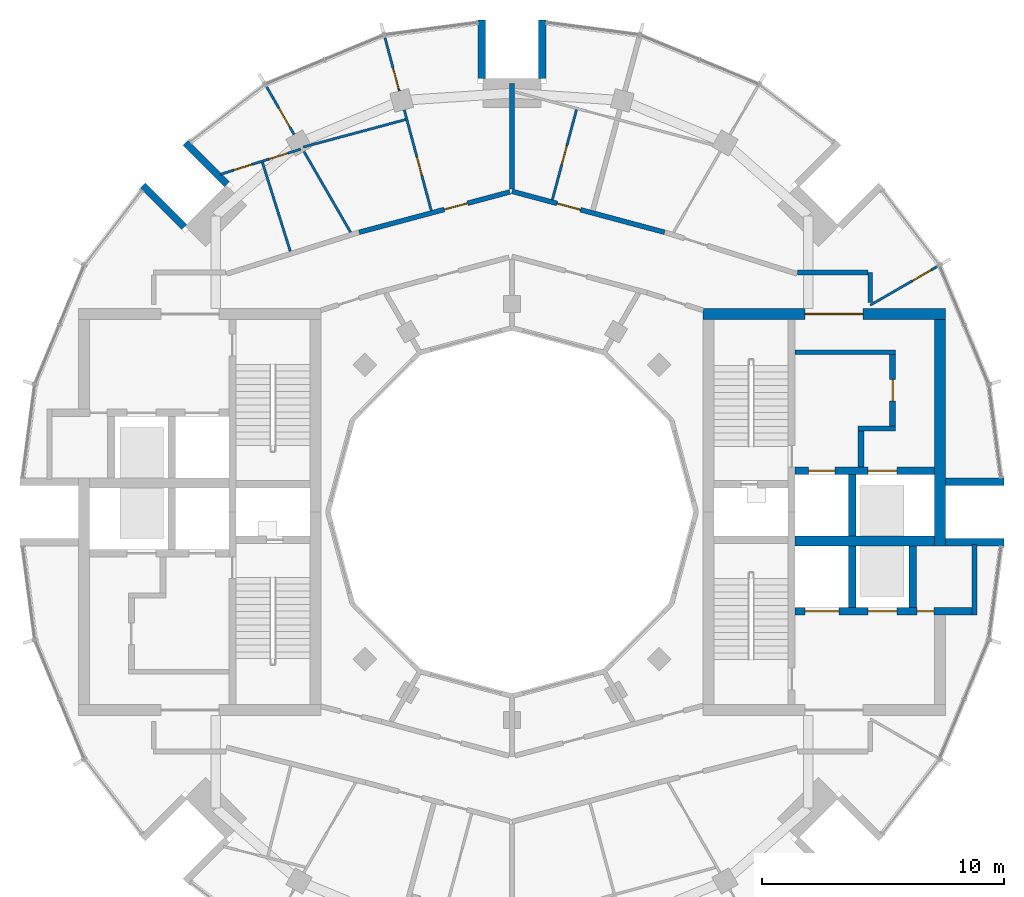
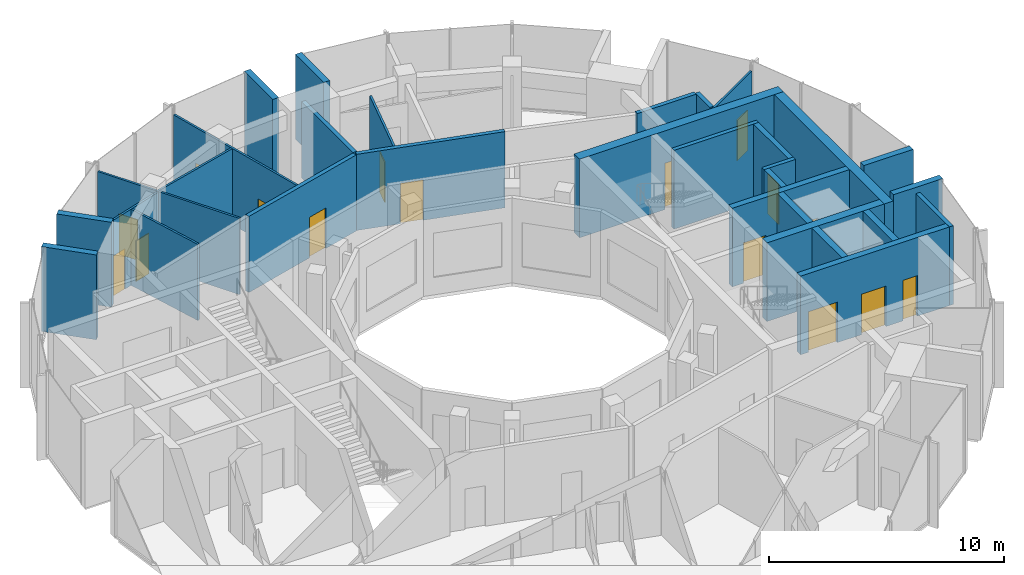
# One storey, part 10 of 13: 31 walls, 16 doors, 16 openings.
"""IFC4 building model written with IfcOpenShell, lengths in metres."""

from ifc_helpers import new_model, si_unit, direction, frame, frame_2d, origin, place, context, subcontext, project, spatial, rectangle, extrude, material, layer, layer_set, type_object, element, fill, save


model = new_model("IFC4")

# Units and contexts
model_context = context("Model", 3, precision=1e-05, world=origin(), true_north=direction((0.0, 1.0)))
body_context = subcontext(model_context, "Body", "Model", "MODEL_VIEW")
ifc_project = project(units=[si_unit("LENGTHUNIT", "METRE"), si_unit("AREAUNIT", "SQUARE_METRE"), si_unit("VOLUMEUNIT", "CUBIC_METRE"), si_unit("PLANEANGLEUNIT", "RADIAN"), si_unit("MASSUNIT", "GRAM", prefix="KILO")], contexts=[model_context])

# Site, building, storey
site_placement = place(None, origin())
site = spatial("IfcSite", under=ifc_project, at=site_placement, CompositionType="ELEMENT")
building_placement = place(site_placement, origin())
building = spatial("IfcBuilding", under=site, at=building_placement, Name="Torre Brocal", CompositionType="ELEMENT")
storey_placement = place(building_placement, frame((0.0, 0.0, 319.300048828125)))
storey = spatial("IfcBuildingStorey", under=building, at=storey_placement, Name="L73", CompositionType="ELEMENT", Elevation=319.300048828125)

# Walls
ifc_material_1 = material(Name="Masonry block", Category="masonry")
ifc_layer_1 = layer(ifc_material_1, 0.199951171875)
ifc_layer_set_1 = layer_set([ifc_layer_1], Name="Masonry block")
wall_type_1 = type_object("IfcWallType", Name="CORE PARTITION 200", PredefinedType="PARTITIONING", material=ifc_layer_set_1)
wall_1_placement = place(storey_placement, frame((99.10009765625, 70.75, 0.0), z_axis=(0.0, 0.0, 1.0), x_axis=(0.0, 1.0, 0.0)))
element("IfcWall", 1, at=wall_1_placement, inside=storey, type_object=wall_type_1, Name="Wall CP200", PredefinedType="PARTITIONING", context=body_context, shape_type="SweptSolid", body=[
    extrude(rectangle(XDim=2.89990234375, YDim=0.199951171875, at=frame_2d((1.449951171875, 0.0))), origin(), (0.0, 0.0, 1.0), 4.079833984375),
])
ifc_material_2 = material(Name="Concrete C50", Category="concrete")
ifc_layer_2 = layer(ifc_material_2, 0.199951171875)
ifc_layer_set_2 = layer_set([ifc_layer_2], Name="Concrete C50")
wall_type_2 = type_object("IfcWallType", Name="CORE WALL 200 C50", PredefinedType="SHEAR", material=ifc_layer_set_2)
wall_2_placement = place(storey_placement, frame((91.699951171875, 81.60009765625, 0.0), z_axis=(0.0, 0.0, 1.0), x_axis=(1.0, 0.0, 0.0)))
element("IfcWall", 2, at=wall_2_placement, inside=storey, type_object=wall_type_2, Name="Wall CW200-50", PredefinedType="SHEAR", context=body_context, shape_type="SweptSolid", body=[
    extrude(rectangle(XDim=4.150146484375, YDim=0.199951171875, at=frame_2d((2.0751953125, 0.0))), origin(), (0.0, 0.0, 1.0), 4.079833984375),
])
wall_3_placement = place(storey_placement, frame((94.300048828125, 78.449951171875, 0.0), z_axis=(0.0, 0.0, 1.0), x_axis=(1.0, 0.0, 0.0)))
element("IfcWall", 3, at=wall_3_placement, inside=storey, type_object=wall_type_2, Name="Wall CW200-50", PredefinedType="SHEAR", context=body_context, shape_type="SweptSolid", body=[
    extrude(rectangle(XDim=1.550048828125, YDim=0.199951171875, at=frame_2d((0.77490234375, 0.0))), origin(), (0.0, 0.0, 1.0), 4.079833984375),
])

# Wall, opening, door
ifc_material_3 = material(Name="Concrete C50", Category="concrete")
ifc_layer_3 = layer(ifc_material_3, 0.25)
ifc_layer_set_3 = layer_set([ifc_layer_3], Name="Concrete C50")
wall_type_3 = type_object("IfcWallType", Name="CORE WALL 250 C50", PredefinedType="SHEAR", material=ifc_layer_set_3)
wall_4_placement = place(storey_placement, frame((95.72509765625, 78.550048828125, 0.0), z_axis=(0.0, 0.0, 1.0), x_axis=(0.0, 1.0, 0.0)))
wall_4 = element("IfcWall", 4, at=wall_4_placement, inside=storey, type_object=wall_type_3, Name="Wall CW250-50", PredefinedType="SHEAR", context=body_context, shape_type="SweptSolid", body=[
    extrude(rectangle(XDim=2.949951171875, YDim=0.25, at=frame_2d((1.47509765625, 0.0))), origin(), (0.0, 0.0, 1.0), 4.079833984375),
])
opening_1_placement = place(wall_4_placement, frame((1.02490234375, 0.0, 0.0)))
opening_1 = element("IfcOpeningElement", 5, at=opening_1_placement, cuts=wall_4, Name="Opening E-D19", PredefinedType="OPENING", context=body_context, shape_type="SweptSolid", body=[
    extrude(rectangle(XDim=0.89990234375, YDim=2.10009765625, at=frame_2d((0.449951171875, 1.050048828125))), frame((0.0, 0.135009765625, 0.0), z_axis=(0.0, -1.0, 0.0), x_axis=(1.0, 0.0, 0.0)), (0.0, 0.0, 1.0), 0.27001953125),
])
ifc_material_4 = material(Name="Steel A653", Category="steel")
door_type_1 = type_object("IfcDoorType", Name="LOBBY DOOR FD120 900X2100", OperationType="SINGLE_SWING_RIGHT", PredefinedType="DOOR", material=ifc_material_4)
door_1_placement = place(opening_1_placement, origin())
door_1 = element("IfcDoor", 6, at=door_1_placement, inside=storey, type_object=door_type_1, Name="Door E-D19", OperationType="SINGLE_SWING_LEFT", OverallHeight=2.10009765625, OverallWidth=0.89990234375, PredefinedType="DOOR", context=body_context, shape_type="SweptSolid", body=[
    extrude(rectangle(XDim=0.89990234375, YDim=2.10009765625, at=frame_2d((0.449951171875, 1.050048828125))), frame((0.0, 0.02490234375, 0.0), z_axis=(0.0, -1.0, 0.0), x_axis=(1.0, 0.0, 0.0)), (0.0, 0.0, 1.0), 0.050048828125),
])
fill(opening_1, door_1)

# Wall
wall_5_placement = place(storey_placement, frame((94.425048828125, 76.85009765625, 0.0), z_axis=(0.0, 0.0, 1.0), x_axis=(0.0, 1.0, 0.0)))
element("IfcWall", 7, at=wall_5_placement, inside=storey, type_object=wall_type_3, Name="Wall CW250-50", PredefinedType="SHEAR", context=body_context, shape_type="SweptSolid", body=[
    extrude(rectangle(XDim=1.5, YDim=0.25, at=frame_2d((0.75, 0.0))), origin(), (0.0, 0.0, 1.0), 4.079833984375),
])

# Wall, openings, doors
ifc_material_5 = material(Name="Concrete C50", Category="concrete")
ifc_layer_4 = layer(ifc_material_5, 0.300048828125)
ifc_layer_set_4 = layer_set([ifc_layer_4], Name="Concrete C50")
wall_type_4 = type_object("IfcWallType", Name="CORE WALL 300 C50", PredefinedType="SHEAR", material=ifc_layer_set_4)
wall_6_placement = place(storey_placement, frame((91.699951171875, 76.699951171875, 0.0), z_axis=(0.0, 0.0, 1.0), x_axis=(1.0, 0.0, 0.0)))
wall_6 = element("IfcWall", 8, at=wall_6_placement, inside=storey, type_object=wall_type_4, Name="Wall CW300-50", PredefinedType="SHEAR", context=body_context, shape_type="SweptSolid", body=[
    extrude(rectangle(XDim=5.75, YDim=0.300048828125, at=frame_2d((2.875, 0.0))), origin(), (0.0, 0.0, 1.0), 4.079833984375),
])
opening_2_placement = place(wall_6_placement, frame((0.550048828125, 0.0, 0.0)))
opening_2 = element("IfcOpeningElement", 9, at=opening_2_placement, cuts=wall_6, Name="Opening LD", PredefinedType="OPENING", context=body_context, shape_type="SweptSolid", body=[
    extrude(rectangle(XDim=1.10009765625, YDim=2.10009765625, at=frame_2d((0.550048828125, 1.050048828125))), frame((0.0, 0.159912109375, 0.0), z_axis=(0.0, -1.0, 0.0), x_axis=(1.0, 0.0, 0.0)), (0.0, 0.0, 1.0), 0.320068359375),
])
opening_3_placement = place(wall_6_placement, frame((3.0, 0.0, 0.0)))
opening_3 = element("IfcOpeningElement", 10, at=opening_3_placement, cuts=wall_6, Name="Opening LD12", PredefinedType="OPENING", context=body_context, shape_type="SweptSolid", body=[
    extrude(rectangle(XDim=1.199951171875, YDim=2.10009765625, at=frame_2d((0.60009765625, 1.050048828125))), frame((0.0, 0.159912109375, 0.0), z_axis=(0.0, -1.0, 0.0), x_axis=(1.0, 0.0, 0.0)), (0.0, 0.0, 1.0), 0.320068359375),
])
ifc_material_6 = material(Name="Stainless steel AISI 316", Category="steel")
door_type_2 = type_object("IfcDoorType", Name="LIFT LANDING DOOR 1100X2100", OperationType="DOUBLE_DOOR_SLIDING", PredefinedType="DOOR", material=ifc_material_6)
door_2_placement = place(opening_2_placement, origin())
door_2 = element("IfcDoor", 11, at=door_2_placement, inside=storey, type_object=door_type_2, Name="Door LD", OperationType="DOUBLE_DOOR_SLIDING", OverallHeight=2.10009765625, OverallWidth=1.10009765625, PredefinedType="DOOR", context=body_context, shape_type="SweptSolid", body=[
    extrude(rectangle(XDim=1.10009765625, YDim=2.10009765625, at=frame_2d((0.550048828125, 1.050048828125))), frame((0.0, 0.02490234375, 0.0), z_axis=(0.0, -1.0, 0.0), x_axis=(1.0, 0.0, 0.0)), (0.0, 0.0, 1.0), 0.050048828125),
])
fill(opening_2, door_2)
ifc_material_7 = material(Name="Stainless steel AISI 316", Category="steel")
door_type_3 = type_object("IfcDoorType", Name="LIFT LANDING DOOR 1200X2100", OperationType="DOUBLE_DOOR_SLIDING", PredefinedType="DOOR", material=ifc_material_7)
door_3_placement = place(opening_3_placement, origin())
door_3 = element("IfcDoor", 12, at=door_3_placement, inside=storey, type_object=door_type_3, Name="Door LD12", OperationType="DOUBLE_DOOR_SLIDING", OverallHeight=2.10009765625, OverallWidth=1.199951171875, PredefinedType="DOOR", context=body_context, shape_type="SweptSolid", body=[
    extrude(rectangle(XDim=1.199951171875, YDim=2.10009765625, at=frame_2d((0.60009765625, 1.050048828125))), frame((0.0, 0.02490234375, 0.0), z_axis=(0.0, -1.0, 0.0), x_axis=(1.0, 0.0, 0.0)), (0.0, 0.0, 1.0), 0.050048828125),
])
fill(opening_3, door_3)

wall_7_placement = place(storey_placement, frame((91.699951171875, 70.89990234375, 0.0), z_axis=(0.0, 0.0, 1.0), x_axis=(1.0, 0.0, 0.0)))
wall_7 = element("IfcWall", 13, at=wall_7_placement, inside=storey, type_object=wall_type_4, Name="Wall CW300-50", PredefinedType="SHEAR", context=body_context, shape_type="SweptSolid", body=[
    extrude(rectangle(XDim=7.300048828125, YDim=0.300048828125, at=frame_2d((3.64990234375, 0.0))), origin(), (0.0, 0.0, 1.0), 4.079833984375),
])
opening_4_placement = place(wall_7_placement, frame((0.39990234375, 0.0, 0.0)))
opening_4 = element("IfcOpeningElement", 14, at=opening_4_placement, cuts=wall_7, Name="Opening LD14", PredefinedType="OPENING", context=body_context, shape_type="SweptSolid", body=[
    extrude(rectangle(XDim=1.39990234375, YDim=2.10009765625, at=frame_2d((0.699951171875, 1.050048828125))), frame((0.0, 0.159912109375, 0.0), z_axis=(0.0, -1.0, 0.0), x_axis=(1.0, 0.0, 0.0)), (0.0, 0.0, 1.0), 0.320068359375),
])
opening_5_placement = place(wall_7_placement, frame((3.0, 0.0, 0.0)))
opening_5 = element("IfcOpeningElement", 15, at=opening_5_placement, cuts=wall_7, Name="Opening LD12", PredefinedType="OPENING", context=body_context, shape_type="SweptSolid", body=[
    extrude(rectangle(XDim=1.199951171875, YDim=2.10009765625, at=frame_2d((0.60009765625, 1.050048828125))), frame((0.0, 0.159912109375, 0.0), z_axis=(0.0, -1.0, 0.0), x_axis=(1.0, 0.0, 0.0)), (0.0, 0.0, 1.0), 0.320068359375),
])
opening_6_placement = place(wall_7_placement, frame((5.02490234375, 0.0, 0.0)))
opening_6 = element("IfcOpeningElement", 16, at=opening_6_placement, cuts=wall_7, Name="Opening E-D17", PredefinedType="OPENING", context=body_context, shape_type="SweptSolid", body=[
    extrude(rectangle(XDim=0.699951171875, YDim=2.10009765625, at=frame_2d((0.35009765625, 1.050048828125))), frame((0.0, 0.159912109375, 0.0), z_axis=(0.0, -1.0, 0.0), x_axis=(1.0, 0.0, 0.0)), (0.0, 0.0, 1.0), 0.320068359375),
])
door_4_placement = place(opening_5_placement, origin())
door_4 = element("IfcDoor", 17, at=door_4_placement, inside=storey, type_object=door_type_3, Name="Door LD12", OperationType="DOUBLE_DOOR_SLIDING", OverallHeight=2.10009765625, OverallWidth=1.199951171875, PredefinedType="DOOR", context=body_context, shape_type="SweptSolid", body=[
    extrude(rectangle(XDim=1.199951171875, YDim=2.10009765625, at=frame_2d((0.60009765625, 1.050048828125))), frame((0.0, 0.02490234375, 0.0), z_axis=(0.0, -1.0, 0.0), x_axis=(1.0, 0.0, 0.0)), (0.0, 0.0, 1.0), 0.050048828125),
])
fill(opening_5, door_4)
ifc_material_8 = material(Name="Stainless steel AISI 316", Category="steel")
door_type_4 = type_object("IfcDoorType", Name="LIFT LANDING DOOR 1400X2100", OperationType="DOUBLE_DOOR_SLIDING", PredefinedType="DOOR", material=ifc_material_8)
door_5_placement = place(opening_4_placement, origin())
door_5 = element("IfcDoor", 18, at=door_5_placement, inside=storey, type_object=door_type_4, Name="Door LD14", OperationType="DOUBLE_DOOR_SLIDING", OverallHeight=2.10009765625, OverallWidth=1.39990234375, PredefinedType="DOOR", context=body_context, shape_type="SweptSolid", body=[
    extrude(rectangle(XDim=1.39990234375, YDim=2.10009765625, at=frame_2d((0.699951171875, 1.050048828125))), frame((0.0, 0.02490234375, 0.0), z_axis=(0.0, -1.0, 0.0), x_axis=(1.0, 0.0, 0.0)), (0.0, 0.0, 1.0), 0.050048828125),
])
fill(opening_4, door_5)
ifc_material_9 = material(Name="Steel A653", Category="steel")
door_type_5 = type_object("IfcDoorType", Name="ROOM DOOR FD30S 700X2100", OperationType="SINGLE_SWING_LEFT", PredefinedType="DOOR", material=ifc_material_9)
door_6_placement = place(opening_6_placement, origin())
door_6 = element("IfcDoor", 19, at=door_6_placement, inside=storey, type_object=door_type_5, Name="Door E-D17", OperationType="SINGLE_SWING_LEFT", OverallHeight=2.10009765625, OverallWidth=0.699951171875, PredefinedType="DOOR", context=body_context, shape_type="SweptSolid", body=[
    extrude(rectangle(XDim=0.699951171875, YDim=2.10009765625, at=frame_2d((0.35009765625, 1.050048828125))), frame((0.0, 0.02490234375, 0.0), z_axis=(0.0, -1.0, 0.0), x_axis=(1.0, 0.0, 0.0)), (0.0, 0.0, 1.0), 0.050048828125),
])
fill(opening_6, door_6)

# Walls
for number, where, z_axis, x_axis, name in (
    (20, (94.050048828125, 74.0, 0.0), (0.0, 0.0, 1.0), (0.0, 1.0, 0.0), "Wall CW300-50"),
    (21, (94.050048828125, 71.050048828125, 0.0), (0.0, 0.0, 1.0), (0.0, 1.0, 0.0), "Wall CW300-50"),
    (22, (96.550048828125, 71.050048828125, 0.0), (0.0, 0.0, 1.0), (0.0, 1.0, 0.0), "Wall CW300-50"),
):
    element("IfcWall", number, at=place(storey_placement, frame(where, z_axis=z_axis, x_axis=x_axis)), inside=storey, type_object=wall_type_4, Name=name, PredefinedType="SHEAR", context=body_context, shape_type="SweptSolid", body=[
        extrude(rectangle(XDim=2.550048828125, YDim=0.300048828125, at=frame_2d((1.27490234375, 0.0))), origin(), (0.0, 0.0, 1.0), 4.079833984375),
    ])
ifc_material_10 = material(Name="Concrete C50", Category="concrete")
ifc_layer_5 = layer(ifc_material_10, 0.39990234375)
ifc_layer_set_5 = layer_set([ifc_layer_5], Name="Concrete C50")
wall_type_5 = type_object("IfcWallType", Name="CORE WALL 400 C50", PredefinedType="SHEAR", material=ifc_layer_set_5)
wall_8_placement = place(storey_placement, frame((91.699951171875, 73.800048828125, 0.0), z_axis=(0.0, 0.0, 1.0), x_axis=(1.0, 0.0, 0.0)))
element("IfcWall", 23, at=wall_8_placement, inside=storey, type_object=wall_type_5, Name="Wall CW400-50", PredefinedType="SHEAR", context=body_context, shape_type="SweptSolid", body=[
    extrude(rectangle(XDim=5.75, YDim=0.39990234375, at=frame_2d((2.875, 0.0))), origin(), (0.0, 0.0, 1.0), 4.079833984375),
])

# Wall, opening, door
ifc_material_11 = material(Name="Concrete C50", Category="concrete")
ifc_layer_6 = layer(ifc_material_11, 0.449951171875)
ifc_layer_set_6 = layer_set([ifc_layer_6], Name="Concrete C50")
wall_type_6 = type_object("IfcWallType", Name="CORE WALL 450 C50", PredefinedType="SHEAR", material=ifc_layer_set_6)
wall_9_placement = place(storey_placement, frame((87.89990234375, 83.175048828125, 0.0), z_axis=(0.0, 0.0, 1.0), x_axis=(1.0, 0.0, 0.0)))
wall_9 = element("IfcWall", 24, at=wall_9_placement, inside=storey, type_object=wall_type_6, Name="Wall CW450-50", PredefinedType="SHEAR", context=body_context, shape_type="SweptSolid", body=[
    extrude(rectangle(XDim=10.0, YDim=0.449951171875, at=frame_2d((5.0, 0.0))), origin(), (0.0, 0.0, 1.0), 4.079833984375),
])
opening_7_placement = place(wall_9_placement, frame((4.199951171875, 0.0, 0.0)))
opening_7 = element("IfcOpeningElement", 25, at=opening_7_placement, cuts=wall_9, Name="Opening E-D23", PredefinedType="OPENING", context=body_context, shape_type="SweptSolid", body=[
    extrude(rectangle(XDim=2.39990234375, YDim=2.39990234375, at=frame_2d((1.199951171875, 1.199951171875))), frame((0.0, 0.23486328125, 0.0), z_axis=(0.0, -1.0, 0.0), x_axis=(1.0, 0.0, 0.0)), (0.0, 0.0, 1.0), 0.469970703125),
])
ifc_material_12 = material(Name="Steel A653", Category="steel")
door_type_6 = type_object("IfcDoorType", Name="DOUBLE FIRE DOOR FD90 2400X2400", OperationType="DOUBLE_DOOR_SINGLE_SWING", PredefinedType="DOOR", material=ifc_material_12)
door_7_placement = place(opening_7_placement, frame((2.39990234375, 0.0, 0.0), z_axis=(0.0, 0.0, 1.0), x_axis=(-1.0, 0.0, 0.0)))
door_7 = element("IfcDoor", 26, at=door_7_placement, inside=storey, type_object=door_type_6, Name="Door E-D23", OperationType="DOUBLE_DOOR_SINGLE_SWING", OverallHeight=2.39990234375, OverallWidth=2.39990234375, PredefinedType="DOOR", context=body_context, shape_type="SweptSolid", body=[
    extrude(rectangle(XDim=2.39990234375, YDim=2.39990234375, at=frame_2d((1.199951171875, 1.199951171875))), frame((0.0, 0.02490234375, 0.0), z_axis=(0.0, -1.0, 0.0), x_axis=(1.0, 0.0, 0.0)), (0.0, 0.0, 1.0), 0.050048828125),
])
fill(opening_7, door_7)

# Walls
wall_10_placement = place(storey_placement, frame((97.675048828125, 73.60009765625, 0.0), z_axis=(0.0, 0.0, 1.0), x_axis=(0.0, 1.0, 0.0)))
element("IfcWall", 27, at=wall_10_placement, inside=storey, type_object=wall_type_6, Name="Wall CW450-50", PredefinedType="SHEAR", context=body_context, shape_type="SweptSolid", body=[
    extrude(rectangle(XDim=9.349853515625, YDim=0.449951171875, at=frame_2d((4.6748046875, 0.0))), origin(), (0.0, 0.0, 1.0), 4.079833984375),
])
ifc_material_13 = material(Name="Concrete C50", Category="concrete")
ifc_layer_7 = layer(ifc_material_13, 0.300048828125)
ifc_layer_set_7 = layer_set([ifc_layer_7], Name="Concrete C50")
wall_type_7 = type_object("IfcWallType", Name="NOTCH RETURN WALL 300 C50", PredefinedType="NOTDEFINED", material=ifc_layer_set_7)
for number, where, z_axis, x_axis, name in (
    (28, (97.89990234375, 73.75, 0.0), (0.0, 0.0, 1.0), (1.0, 0.0, 0.0), "NOTCH RETURN WALL"),
    (29, (97.89990234375, 76.25, 0.0), (0.0, 0.0, 1.0), (1.0, 0.0, 0.0), "NOTCH RETURN WALL"),
    (30, (81.25, 92.89990234375, 0.0), (0.0, 0.0, 1.0), (0.0, 1.0, 0.0), "NOTCH RETURN WALL"),
    (31, (78.75, 92.89990234375, 0.0), (0.0, 0.0, 1.0), (0.0, 1.0, 0.0), "NOTCH RETURN WALL"),
    (32, (68.2265625, 88.541015625, 0.0), (0.0, 0.0, 1.0), (-0.707056246487, 0.707157312274, 0.0), "NOTCH RETURN WALL"),
    (33, (66.458984375, 86.7734375, 0.0), (0.0, 0.0, 1.0), (-0.707157312274, 0.707056246487, 0.0), "NOTCH RETURN WALL"),
):
    element("IfcWall", number, at=place(storey_placement, frame(where, z_axis=z_axis, x_axis=x_axis)), inside=storey, type_object=wall_type_7, Name=name, PredefinedType="NOTDEFINED", context=body_context, shape_type="SweptSolid", body=[
        extrude(rectangle(XDim=2.415771484375, YDim=0.300048828125, at=frame_2d((1.2080078125, 0.0))), origin(), (0.0, 0.0, 1.0), 4.39990234375),
    ])

# Wall, openings, doors
ifc_material_14 = material(Name="Gypsum board", Category="Gypsum")
ifc_layer_8 = layer(ifc_material_14, 0.10009765625)
ifc_layer_set_8 = layer_set([ifc_layer_8], Name="Gypsum board")
wall_type_8 = type_object("IfcWallType", Name="PARTITION 100", PredefinedType="PARTITIONING", material=ifc_layer_set_8)
wall_11_placement = place(storey_placement, frame((67.9541015625, 88.947509765625, 0.0), z_axis=(0.0, 0.0, 1.0), x_axis=(0.954122535632, 0.299416410704, 0.0)))
wall_11 = element("IfcWall", 34, at=wall_11_placement, inside=storey, type_object=wall_type_8, Name="BATHROOM WALL", PredefinedType="PARTITIONING", context=body_context, shape_type="SweptSolid", body=[
    extrude(rectangle(XDim=3.482421875, YDim=0.10009765625, at=frame_2d((1.7412109375, 0.0))), origin(), (0.0, 0.0, 1.0), 3.949951171875),
])
opening_8_placement = place(wall_11_placement, frame((0.5712890625, 0.0, 0.0)))
opening_8 = element("IfcOpeningElement", 35, at=opening_8_placement, cuts=wall_11, Name="Opening N05-D12", PredefinedType="OPENING", context=body_context, shape_type="SweptSolid", body=[
    extrude(rectangle(XDim=0.800048828125, YDim=2.10009765625, at=frame_2d((0.39990234375, 1.050048828125))), frame((0.0, 0.06005859375, 0.0), z_axis=(0.0, -1.0, 0.0), x_axis=(1.0, 0.0, 0.0)), (0.0, 0.0, 1.0), 0.1201171875),
])
opening_9_placement = place(wall_11_placement, frame((2.11376953125, 0.0, 0.0)))
opening_9 = element("IfcOpeningElement", 36, at=opening_9_placement, cuts=wall_11, Name="Opening N05-D13", PredefinedType="OPENING", context=body_context, shape_type="SweptSolid", body=[
    extrude(rectangle(XDim=0.800048828125, YDim=2.10009765625, at=frame_2d((0.39990234375, 1.050048828125))), frame((0.0, 0.06005859375, 0.0), z_axis=(0.0, -1.0, 0.0), x_axis=(1.0, 0.0, 0.0)), (0.0, 0.0, 1.0), 0.1201171875),
])
ifc_material_15 = material(Name="Timber", Category="wood")
door_type_7 = type_object("IfcDoorType", Name="BATHROOM DOOR 800X2100", OperationType="SINGLE_SWING_LEFT", PredefinedType="DOOR", material=ifc_material_15)
door_8_placement = place(opening_8_placement, frame((0.800048828125, 0.0, 0.0), z_axis=(0.0, 0.0, 1.0), x_axis=(-1.0, 0.0, 0.0)))
door_8 = element("IfcDoor", 37, at=door_8_placement, inside=storey, type_object=door_type_7, Name="N05-D12", OperationType="SINGLE_SWING_RIGHT", OverallHeight=2.10009765625, OverallWidth=0.800048828125, PredefinedType="DOOR", context=body_context, shape_type="SweptSolid", body=[
    extrude(rectangle(XDim=0.800048828125, YDim=2.10009765625, at=frame_2d((0.39990234375, 1.050048828125))), frame((0.0, 0.02490234375, 0.0), z_axis=(0.0, -1.0, 0.0), x_axis=(1.0, 0.0, 0.0)), (0.0, 0.0, 1.0), 0.050048828125),
])
fill(opening_8, door_8)
door_9_placement = place(opening_9_placement, frame((0.800048828125, 0.0, 0.0), z_axis=(0.0, 0.0, 1.0), x_axis=(-1.0, 0.0, 0.0)))
door_9 = element("IfcDoor", 38, at=door_9_placement, inside=storey, type_object=door_type_7, Name="N05-D13", OperationType="SINGLE_SWING_RIGHT", OverallHeight=2.10009765625, OverallWidth=0.800048828125, PredefinedType="DOOR", context=body_context, shape_type="SweptSolid", body=[
    extrude(rectangle(XDim=0.800048828125, YDim=2.10009765625, at=frame_2d((0.39990234375, 1.050048828125))), frame((0.0, 0.02490234375, 0.0), z_axis=(0.0, -1.0, 0.0), x_axis=(1.0, 0.0, 0.0)), (0.0, 0.0, 1.0), 0.050048828125),
])
fill(opening_9, door_9)

# Wall
wall_12_placement = place(storey_placement, frame((69.690185546875, 89.43994140625, 0.0), z_axis=(0.0, 0.0, 1.0), x_axis=(0.299260814267, -0.954171349939, 0.0)))
element("IfcWall", 39, at=wall_12_placement, inside=storey, type_object=wall_type_8, Name="BATHROOM WALL", PredefinedType="PARTITIONING", context=body_context, shape_type="SweptSolid", body=[
    extrude(rectangle(XDim=3.84912109375, YDim=0.10009765625, at=frame_2d((1.924560546875, 0.0))), origin(), (0.0, 0.0, 1.0), 3.949951171875),
])

# Wall, opening, door
wall_13_placement = place(storey_placement, frame((69.85498046875, 92.579345703125, 0.0), z_axis=(0.0, 0.0, 1.0), x_axis=(0.499801463163, -0.866139998742, 0.0)))
wall_13 = element("IfcWall", 40, at=wall_13_placement, inside=storey, type_object=wall_type_8, Name="BATHROOM WALL", PredefinedType="PARTITIONING", context=body_context, shape_type="SweptSolid", body=[
    extrude(rectangle(XDim=6.954833984375, YDim=0.10009765625, at=frame_2d((3.4775390625, 0.0))), origin(), (0.0, 0.0, 1.0), 3.949951171875),
])
opening_10_placement = place(wall_13_placement, frame((1.029296875, 0.0, 0.0)))
opening_10 = element("IfcOpeningElement", 41, at=opening_10_placement, cuts=wall_13, Name="Opening N05-D11", PredefinedType="OPENING", context=body_context, shape_type="SweptSolid", body=[
    extrude(rectangle(XDim=0.89990234375, YDim=2.10009765625, at=frame_2d((0.449951171875, 1.050048828125))), frame((0.0, 0.06005859375, 0.0), z_axis=(0.0, -1.0, 0.0), x_axis=(1.0, 0.0, 0.0)), (0.0, 0.0, 1.0), 0.1201171875),
])
ifc_material_16 = material(Name="Timber", Category="wood")
door_type_8 = type_object("IfcDoorType", Name="ROOM DOOR 900X2100", OperationType="SINGLE_SWING_LEFT", PredefinedType="DOOR", material=ifc_material_16)
door_10_placement = place(opening_10_placement, frame((0.89990234375, 0.0, 0.0), z_axis=(0.0, 0.0, 1.0), x_axis=(-1.0, 0.0, 0.0)))
door_10 = element("IfcDoor", 42, at=door_10_placement, inside=storey, type_object=door_type_8, Name="N05-D11", OperationType="SINGLE_SWING_LEFT", OverallHeight=2.10009765625, OverallWidth=0.89990234375, PredefinedType="DOOR", context=body_context, shape_type="SweptSolid", body=[
    extrude(rectangle(XDim=0.89990234375, YDim=2.10009765625, at=frame_2d((0.449951171875, 1.050048828125))), frame((0.0, 0.02490234375, 0.0), z_axis=(0.0, -1.0, 0.0), x_axis=(1.0, 0.0, 0.0)), (0.0, 0.0, 1.0), 0.050048828125),
])
fill(opening_10, door_10)

# Wall
wall_14_placement = place(storey_placement, frame((71.374755859375, 90.075439453125, 0.0), z_axis=(0.0, 0.0, 1.0), x_axis=(0.965918685896, 0.258845691944, 0.0)))
element("IfcWall", 43, at=wall_14_placement, inside=storey, type_object=wall_type_8, Name="BATHROOM WALL", PredefinedType="PARTITIONING", context=body_context, shape_type="SweptSolid", body=[
    extrude(rectangle(XDim=4.379150390625, YDim=0.10009765625, at=frame_2d((2.189453125, 0.0))), origin(), (0.0, 0.0, 1.0), 3.949951171875),
])

# Wall, openings, doors
wall_15_placement = place(storey_placement, frame((74.7470703125, 94.606689453125, 0.0), z_axis=(0.0, 0.0, 1.0), x_axis=(0.258787180783, -0.965934363745, 0.0)))
wall_15 = element("IfcWall", 44, at=wall_15_placement, inside=storey, type_object=wall_type_8, Name="BATHROOM WALL", PredefinedType="PARTITIONING", context=body_context, shape_type="SweptSolid", body=[
    extrude(rectangle(XDim=7.40380859375, YDim=0.10009765625, at=frame_2d((3.701904296875, 0.0))), origin(), (0.0, 0.0, 1.0), 3.949951171875),
])
opening_11_placement = place(wall_15_placement, frame((1.326904296875, 0.0, 0.0)))
opening_11 = element("IfcOpeningElement", 45, at=opening_11_placement, cuts=wall_15, Name="Opening N05-D09", PredefinedType="OPENING", context=body_context, shape_type="SweptSolid", body=[
    extrude(rectangle(XDim=0.89990234375, YDim=2.10009765625, at=frame_2d((0.449951171875, 1.050048828125))), frame((0.0, 0.06005859375, 0.0), z_axis=(0.0, -1.0, 0.0), x_axis=(1.0, 0.0, 0.0)), (0.0, 0.0, 1.0), 0.1201171875),
])
opening_12_placement = place(wall_15_placement, frame((5.10400390625, 0.0, 0.0)))
opening_12 = element("IfcOpeningElement", 46, at=opening_12_placement, cuts=wall_15, Name="Opening N05-D10", PredefinedType="OPENING", context=body_context, shape_type="SweptSolid", body=[
    extrude(rectangle(XDim=0.800048828125, YDim=2.10009765625, at=frame_2d((0.39990234375, 1.050048828125))), frame((0.0, 0.06005859375, 0.0), z_axis=(0.0, -1.0, 0.0), x_axis=(1.0, 0.0, 0.0)), (0.0, 0.0, 1.0), 0.1201171875),
])
door_11_placement = place(opening_12_placement, frame((0.800048828125, 0.0, 0.0), z_axis=(0.0, 0.0, 1.0), x_axis=(-1.0, 0.0, 0.0)))
door_11 = element("IfcDoor", 47, at=door_11_placement, inside=storey, type_object=door_type_7, Name="N05-D10", OperationType="SINGLE_SWING_RIGHT", OverallHeight=2.10009765625, OverallWidth=0.800048828125, PredefinedType="DOOR", context=body_context, shape_type="SweptSolid", body=[
    extrude(rectangle(XDim=0.800048828125, YDim=2.10009765625, at=frame_2d((0.39990234375, 1.050048828125))), frame((0.0, 0.02490234375, 0.0), z_axis=(0.0, -1.0, 0.0), x_axis=(1.0, 0.0, 0.0)), (0.0, 0.0, 1.0), 0.050048828125),
])
fill(opening_12, door_11)
door_12_placement = place(opening_11_placement, origin())
door_12 = element("IfcDoor", 48, at=door_12_placement, inside=storey, type_object=door_type_8, Name="N05-D09", OperationType="SINGLE_SWING_LEFT", OverallHeight=2.10009765625, OverallWidth=0.89990234375, PredefinedType="DOOR", context=body_context, shape_type="SweptSolid", body=[
    extrude(rectangle(XDim=0.89990234375, YDim=2.10009765625, at=frame_2d((0.449951171875, 1.050048828125))), frame((0.0, 0.02490234375, 0.0), z_axis=(0.0, -1.0, 0.0), x_axis=(1.0, 0.0, 0.0)), (0.0, 0.0, 1.0), 0.050048828125),
])
fill(opening_11, door_12)

# Wall, opening, door
wall_16_placement = place(storey_placement, frame((81.66796875, 87.902587890625, 0.0), z_axis=(0.0, 0.0, 1.0), x_axis=(0.259020336752, 0.965871867873, 0.0)))
wall_16 = element("IfcWall", 49, at=wall_16_placement, inside=storey, type_object=wall_type_8, Name="BATHROOM WALL", PredefinedType="PARTITIONING", context=body_context, shape_type="SweptSolid", body=[
    extrude(rectangle(XDim=3.849365234375, YDim=0.10009765625, at=frame_2d((1.9248046875, 0.0))), origin(), (0.0, 0.0, 1.0), 3.949951171875),
])
opening_13_placement = place(wall_16_placement, frame((1.499755859375, 0.0, 0.0)))
opening_13 = element("IfcOpeningElement", 50, at=opening_13_placement, cuts=wall_16, Name="Opening N05-D07", PredefinedType="OPENING", context=body_context, shape_type="SweptSolid", body=[
    extrude(rectangle(XDim=0.800048828125, YDim=2.10009765625, at=frame_2d((0.39990234375, 1.050048828125))), frame((0.0, 0.06005859375, 0.0), z_axis=(0.0, -1.0, 0.0), x_axis=(1.0, 0.0, 0.0)), (0.0, 0.0, 1.0), 0.1201171875),
])
door_13_placement = place(opening_13_placement, origin())
door_13 = element("IfcDoor", 51, at=door_13_placement, inside=storey, type_object=door_type_7, Name="N05-D07", OperationType="SINGLE_SWING_LEFT", OverallHeight=2.10009765625, OverallWidth=0.800048828125, PredefinedType="DOOR", context=body_context, shape_type="SweptSolid", body=[
    extrude(rectangle(XDim=0.800048828125, YDim=2.10009765625, at=frame_2d((0.39990234375, 1.050048828125))), frame((0.0, 0.02490234375, 0.0), z_axis=(0.0, -1.0, 0.0), x_axis=(1.0, 0.0, 0.0)), (0.0, 0.0, 1.0), 0.050048828125),
])
fill(opening_13, door_13)

wall_17_placement = place(storey_placement, frame((94.7998046875, 83.545166015625, 0.0), z_axis=(0.0, 0.0, 1.0), x_axis=(0.866141222235, 0.499799342882, 0.0)))
wall_17 = element("IfcWall", 52, at=wall_17_placement, inside=storey, type_object=wall_type_8, Name="ROOM PARTITION", PredefinedType="PARTITIONING", context=body_context, shape_type="SweptSolid", body=[
    extrude(rectangle(XDim=3.206787109375, YDim=0.10009765625, at=frame_2d((1.603515625, 0.0))), origin(), (0.0, 0.0, 1.0), 3.949951171875),
])
opening_14_placement = place(wall_17_placement, frame((2.006591796875, 0.0, 0.0)))
opening_14 = element("IfcOpeningElement", 53, at=opening_14_placement, cuts=wall_17, Name="Opening N05-D04", PredefinedType="OPENING", context=body_context, shape_type="SweptSolid", body=[
    extrude(rectangle(XDim=0.89990234375, YDim=2.10009765625, at=frame_2d((0.449951171875, 1.050048828125))), frame((0.0, 0.06005859375, 0.0), z_axis=(0.0, -1.0, 0.0), x_axis=(1.0, 0.0, 0.0)), (0.0, 0.0, 1.0), 0.1201171875),
])
door_14_placement = place(opening_14_placement, frame((0.89990234375, 0.0, 0.0), z_axis=(0.0, 0.0, 1.0), x_axis=(-1.0, 0.0, 0.0)))
door_14 = element("IfcDoor", 54, at=door_14_placement, inside=storey, type_object=door_type_8, Name="N05-D04", OperationType="SINGLE_SWING_LEFT", OverallHeight=2.10009765625, OverallWidth=0.89990234375, PredefinedType="DOOR", context=body_context, shape_type="SweptSolid", body=[
    extrude(rectangle(XDim=0.89990234375, YDim=2.10009765625, at=frame_2d((0.449951171875, 1.050048828125))), frame((0.0, 0.02490234375, 0.0), z_axis=(0.0, -1.0, 0.0), x_axis=(1.0, 0.0, 0.0)), (0.0, 0.0, 1.0), 0.050048828125),
])
fill(opening_14, door_14)

ifc_material_17 = material(Name="Gypsum board", Category="Gypsum")
ifc_layer_9 = layer(ifc_material_17, 0.199951171875)
ifc_layer_set_9 = layer_set([ifc_layer_9], Name="Gypsum board")
wall_type_9 = type_object("IfcWallType", Name="PARTITION 200 EI60", PredefinedType="PARTITIONING", material=ifc_layer_set_9)
wall_18_placement = place(storey_placement, frame((73.68701171875, 86.55419921875, 0.0), z_axis=(0.0, 0.0, 1.0), x_axis=(0.96595903825, 0.258695064551, 0.0)))
wall_18 = element("IfcWall", 55, at=wall_18_placement, inside=storey, type_object=wall_type_9, Name="FLAT ENTRANCE WALL", PredefinedType="PARTITIONING", context=body_context, shape_type="SweptSolid", body=[
    extrude(rectangle(XDim=6.44580078125, YDim=0.199951171875, at=frame_2d((3.222900390625, 0.0))), origin(), (0.0, 0.0, 1.0), 3.949951171875),
])
opening_15_placement = place(wall_18_placement, frame((3.63818359375, 0.0, 0.0)))
opening_15 = element("IfcOpeningElement", 56, at=opening_15_placement, cuts=wall_18, Name="Opening N05-D08", PredefinedType="OPENING", context=body_context, shape_type="SweptSolid", body=[
    extrude(rectangle(XDim=1.0, YDim=2.10009765625, at=frame_2d((0.5, 1.050048828125))), frame((0.0, 0.10986328125, 0.0), z_axis=(0.0, -1.0, 0.0), x_axis=(1.0, 0.0, 0.0)), (0.0, 0.0, 1.0), 0.219970703125),
])
ifc_material_18 = material(Name="Timber", Category="wood")
door_type_9 = type_object("IfcDoorType", Name="FLAT ENTRY DOOR FD30S 1000X2100", OperationType="SINGLE_SWING_RIGHT", PredefinedType="DOOR", material=ifc_material_18)
door_15_placement = place(opening_15_placement, origin())
door_15 = element("IfcDoor", 57, at=door_15_placement, inside=storey, type_object=door_type_9, Name="N05-D08", OperationType="SINGLE_SWING_LEFT", OverallHeight=2.10009765625, OverallWidth=1.0, PredefinedType="DOOR", context=body_context, shape_type="SweptSolid", body=[
    extrude(rectangle(XDim=1.0, YDim=2.10009765625, at=frame_2d((0.5, 1.050048828125))), frame((0.0, 0.02490234375, 0.0), z_axis=(0.0, -1.0, 0.0), x_axis=(1.0, 0.0, 0.0)), (0.0, 0.0, 1.0), 0.050048828125),
])
fill(opening_15, door_15)

# Wall
wall_19_placement = place(storey_placement, frame((80.0, 88.345947265625, 0.0), z_axis=(0.0, 0.0, 1.0), x_axis=(0.0, 1.0, 0.0)))
element("IfcWall", 58, at=wall_19_placement, inside=storey, type_object=wall_type_9, Name="BATHROOM WALL", PredefinedType="PARTITIONING", context=body_context, shape_type="SweptSolid", body=[
    extrude(rectangle(XDim=4.35400390625, YDim=0.199951171875, at=frame_2d((2.177001953125, 0.0))), origin(), (0.0, 0.0, 1.0), 3.949951171875),
])

# Wall, opening, door
wall_20_placement = place(storey_placement, frame((80.000244140625, 88.24658203125, 0.0), z_axis=(0.0, 0.0, 1.0), x_axis=(0.965807659316, -0.259259648244, 0.0)))
wall_20 = element("IfcWall", 59, at=wall_20_placement, inside=storey, type_object=wall_type_9, Name="FLAT ENTRANCE WALL", PredefinedType="PARTITIONING", context=body_context, shape_type="SweptSolid", body=[
    extrude(rectangle(XDim=6.52587890625, YDim=0.199951171875, at=frame_2d((3.262939453125, 0.0))), origin(), (0.0, 0.0, 1.0), 3.949951171875),
])
opening_16_placement = place(wall_20_placement, frame((1.930419921875, 0.0, 0.0)))
opening_16 = element("IfcOpeningElement", 60, at=opening_16_placement, cuts=wall_20, Name="Opening N05-D06", PredefinedType="OPENING", context=body_context, shape_type="SweptSolid", body=[
    extrude(rectangle(XDim=1.0, YDim=2.10009765625, at=frame_2d((0.5, 1.050048828125))), frame((0.0, 0.10986328125, 0.0), z_axis=(0.0, -1.0, 0.0), x_axis=(1.0, 0.0, 0.0)), (0.0, 0.0, 1.0), 0.219970703125),
])
door_16_placement = place(opening_16_placement, origin())
door_16 = element("IfcDoor", 61, at=door_16_placement, inside=storey, type_object=door_type_9, Name="N05-D06", OperationType="SINGLE_SWING_LEFT", OverallHeight=2.10009765625, OverallWidth=1.0, PredefinedType="DOOR", context=body_context, shape_type="SweptSolid", body=[
    extrude(rectangle(XDim=1.0, YDim=2.10009765625, at=frame_2d((0.5, 1.050048828125))), frame((0.0, 0.02490234375, 0.0), z_axis=(0.0, -1.0, 0.0), x_axis=(1.0, 0.0, 0.0)), (0.0, 0.0, 1.0), 0.050048828125),
])
fill(opening_16, door_16)

# Walls
wall_21_placement = place(storey_placement, frame((91.800048828125, 84.89990234375, 0.0), z_axis=(0.0, 0.0, 1.0), x_axis=(1.0, 0.0, 0.0)))
element("IfcWall", 62, at=wall_21_placement, inside=storey, type_object=wall_type_9, Name="FLAT ENTRANCE WALL", PredefinedType="PARTITIONING", context=body_context, shape_type="SweptSolid", body=[
    extrude(rectangle(XDim=2.89990234375, YDim=0.199951171875, at=frame_2d((1.449951171875, 0.0))), origin(), (0.0, 0.0, 1.0), 3.949951171875),
])
wall_22_placement = place(storey_placement, frame((94.800048828125, 83.659912109375, 0.0), z_axis=(0.0, 0.0, 1.0), x_axis=(0.0, 1.0, 0.0)))
element("IfcWall", 63, at=wall_22_placement, inside=storey, type_object=wall_type_9, Name="FLAT ENTRANCE WALL", PredefinedType="PARTITIONING", context=body_context, shape_type="SweptSolid", body=[
    extrude(rectangle(XDim=1.239990234375, YDim=0.199951171875, at=frame_2d((0.6201171875, 0.0))), origin(), (0.0, 0.0, 1.0), 3.949951171875),
])

save(model, "model.ifc")
